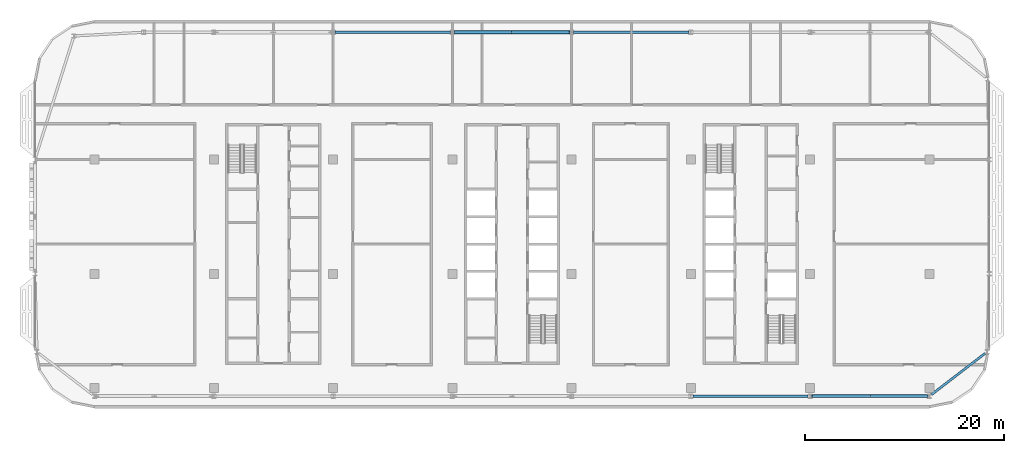
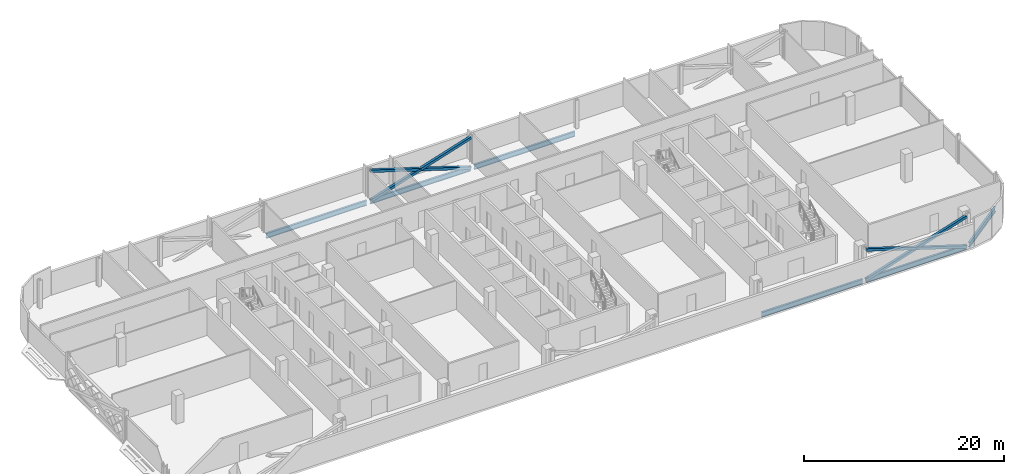
# One storey, part 9 of 28: 6 beams, 6 members.
"""IFC4 building model written with IfcOpenShell, lengths in metres."""

from ifc_helpers import new_model, si_unit, direction, frame, origin, origin_2d, place, context, subcontext, project, spatial, hollow_rectangle, i_section, extrude, material, material_profile, profile_set, type_object, element, save


model = new_model("IFC4")

# Units and contexts
model_context = context("Model", 3, precision=1e-05, world=origin(), true_north=direction((0.0, 1.0)))
body_context = subcontext(model_context, "Body", "Model", "MODEL_VIEW")
ifc_project = project(units=[si_unit("LENGTHUNIT", "METRE"), si_unit("AREAUNIT", "SQUARE_METRE"), si_unit("VOLUMEUNIT", "CUBIC_METRE"), si_unit("PLANEANGLEUNIT", "RADIAN"), si_unit("MASSUNIT", "GRAM", prefix="KILO")], contexts=[model_context])

# Site, building, storey
site_placement = place(None, origin())
site = spatial("IfcSite", under=ifc_project, at=site_placement, CompositionType="ELEMENT")
building_placement = place(site_placement, origin())
building = spatial("IfcBuilding", under=site, at=building_placement, Name="Mahtab Terrace Research Tower", CompositionType="ELEMENT")
storey_placement = place(building_placement, frame((0.0, 0.0, 270.89990234375)))
storey = spatial("IfcBuildingStorey", under=building, at=storey_placement, Name="L66", CompositionType="ELEMENT", Elevation=270.89990234375)

# Members
ifc_material_1 = material(Name="Steel ASTM A500 Gr C", Category="steel")
ifc_material_profile_1 = material_profile(ifc_material_1, hollow_rectangle(XDim=0.3046875, YDim=0.3046875, WallThickness=0.015869140625, at=origin_2d()), Name="HSS12X12X5/8")
ifc_profile_set_1 = profile_set([ifc_material_profile_1], Name="Steel ASTM A500 Gr C")
member_type = type_object("IfcMemberType", Name="HSS 12x12x5/8 brace XB121258", PredefinedType="BRACE", material=ifc_profile_set_1)
member_1_placement = place(storey_placement, frame((5.80322265625, 24.306884765625, -0.5810546875), z_axis=(-0.953344149173, 0.0, 0.301885629399), x_axis=(0.0, -1.0, 0.0)))
element("IfcMember", 1, at=member_1_placement, inside=storey, type_object=member_type, Name="Exoskeleton brace L66 05 a", PredefinedType="BRACE", context=body_context, shape_type="SweptSolid", body=[
    extrude(hollow_rectangle(XDim=0.3046875, YDim=0.3046875, WallThickness=0.015869140625, at=origin_2d()), origin(), (0.0, 0.0, 1.0), 12.174560546875),
])
for number, where, z_axis, x_axis, name in (
    (2, (-5.80322265625, 24.306884765625, -0.5810546875), (0.953344149173, 0.0, 0.301885629399), (0.0, 1.0, 0.0), "Exoskeleton brace L66 05 b1"),
    (3, (0.0, 24.306884765625, 1.256591796875), (0.953344149173, 0.0, 0.301885629399), (0.0, 1.0, 0.0), "Exoskeleton brace L66 05 b2"),
):
    element("IfcMember", number, at=place(storey_placement, frame(where, z_axis=z_axis, x_axis=x_axis)), inside=storey, type_object=member_type, Name=name, PredefinedType="BRACE", context=body_context, shape_type="SweptSolid", body=[
        extrude(hollow_rectangle(XDim=0.3046875, YDim=0.3046875, WallThickness=0.015869140625, at=origin_2d()), origin(), (0.0, 0.0, 1.0), 6.087158203125),
    ])
member_2_placement = place(storey_placement, frame((30.19677734375, -12.306884765625, -0.5810546875), z_axis=(0.953344149173, 0.0, 0.301885629399), x_axis=(0.0, 1.0, 0.0)))
element("IfcMember", 4, at=member_2_placement, inside=storey, type_object=member_type, Name="Exoskeleton brace L66 20 a", PredefinedType="BRACE", context=body_context, shape_type="SweptSolid", body=[
    extrude(hollow_rectangle(XDim=0.3046875, YDim=0.3046875, WallThickness=0.015869140625, at=origin_2d()), origin(), (0.0, 0.0, 1.0), 12.174560546875),
])
for number, where, z_axis, x_axis, name in (
    (5, (41.80322265625, -12.306884765625, -0.5810546875), (-0.953344149173, 0.0, 0.301885629399), (0.0, -1.0, 0.0), "Exoskeleton brace L66 20 b1"),
    (6, (36.0, -12.306884765625, 1.256591796875), (-0.953344149173, 0.0, 0.301885629399), (0.0, -1.0, 0.0), "Exoskeleton brace L66 20 b2"),
):
    element("IfcMember", number, at=place(storey_placement, frame(where, z_axis=z_axis, x_axis=x_axis)), inside=storey, type_object=member_type, Name=name, PredefinedType="BRACE", context=body_context, shape_type="SweptSolid", body=[
        extrude(hollow_rectangle(XDim=0.3046875, YDim=0.3046875, WallThickness=0.015869140625, at=origin_2d()), origin(), (0.0, 0.0, 1.0), 6.087158203125),
    ])

# Beams
ifc_material_2 = material(Name="Steel ASTM A992 Gr 50", Category="steel")
ifc_material_profile_2 = material_profile(ifc_material_2, i_section(OverallWidth=0.228271484375, OverallDepth=0.607177734375, WebThickness=0.01123046875, FlangeThickness=0.017333984375, at=origin_2d()), Name="W24X76")
ifc_profile_set_2 = profile_set([ifc_material_profile_2], Name="Steel ASTM A992 Gr 50")
beam_type = type_object("IfcBeamType", Name="W24x76 beam BS2476", PredefinedType="BEAM", material=ifc_profile_set_2)
for number, where, z_axis, x_axis, name in (
    (7, (17.80322265625, 24.306884765625, -0.6435546875), (-1.0, 0.0, 0.0), (0.0, -1.0, 0.0), "Spandrel beam L66 04"),
    (8, (5.80322265625, 24.306884765625, -0.6435546875), (-1.0, 0.0, 0.0), (0.0, -1.0, 0.0), "Spandrel beam L66 05"),
    (9, (-6.19677734375, 24.306884765625, -0.6435546875), (-1.0, 0.0, 0.0), (0.0, -1.0, 0.0), "Spandrel beam L66 06"),
    (10, (18.19677734375, -12.306884765625, -0.6435546875), (1.0, 0.0, 0.0), (0.0, 1.0, 0.0), "Spandrel beam L66 19"),
    (11, (30.19677734375, -12.306884765625, -0.6435546875), (1.0, 0.0, 0.0), (0.0, 1.0, 0.0), "Spandrel beam L66 20"),
):
    element("IfcBeam", number, at=place(storey_placement, frame(where, z_axis=z_axis, x_axis=x_axis)), inside=storey, type_object=beam_type, Name=name, PredefinedType="BEAM", context=body_context, shape_type="SweptSolid", body=[
        extrude(i_section(OverallWidth=0.228271484375, OverallDepth=0.607177734375, WebThickness=0.01123046875, FlangeThickness=0.017333984375, at=origin_2d()), origin(), (0.0, 0.0, 1.0), 11.6064453125),
    ])
beam_placement = place(storey_placement, frame((42.19677734375, -12.155517578125, -0.6435546875), z_axis=(0.792687883453, 0.60962768919, 0.0), x_axis=(-0.60962768919, 0.792687883453, 0.0)))
element("IfcBeam", 12, at=beam_placement, inside=storey, type_object=beam_type, Name="Spandrel beam L66 21", PredefinedType="BEAM", context=body_context, shape_type="SweptSolid", body=[
    extrude(i_section(OverallWidth=0.228271484375, OverallDepth=0.607177734375, WebThickness=0.01123046875, FlangeThickness=0.017333984375, at=origin_2d()), origin(), (0.0, 0.0, 1.0), 6.817626953125),
])

save(model, "model.ifc")
